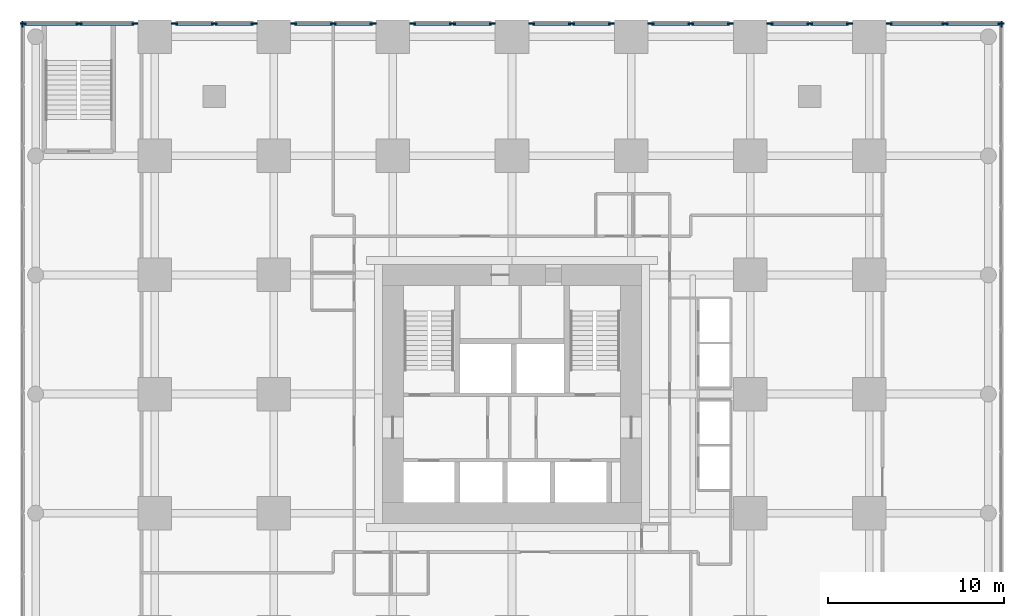
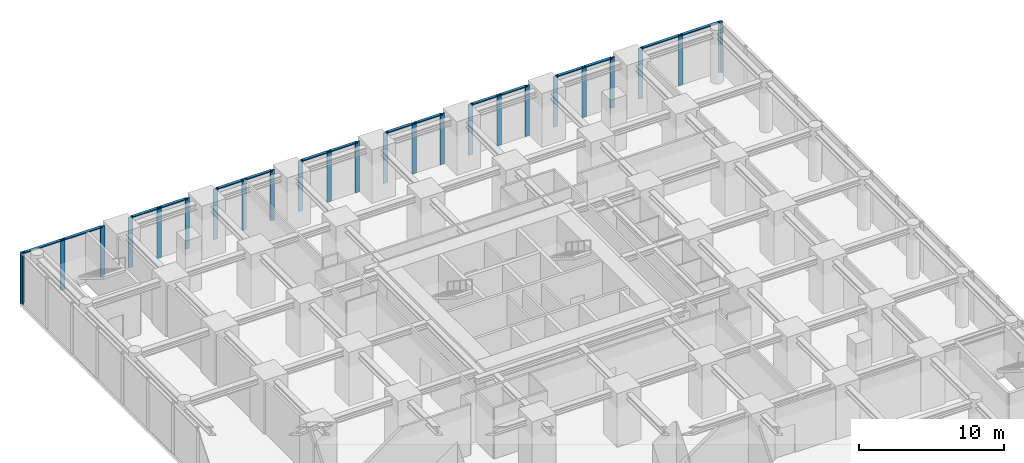
# One storey, part 6 of 11: 42 members, 10 elements without a shape of their own.
"""IFC4 building model written with IfcOpenShell, lengths in metres."""

from ifc_helpers import new_model, si_unit, direction, frame, origin, origin_2d, place, context, subcontext, project, spatial, rectangle, extrude, material, material_profile, profile_set, type_object, element, aggregate, save


model = new_model("IFC4")

# Units and contexts
model_context = context("Model", 3, precision=1e-05, world=origin(), true_north=direction((0.0, 1.0)))
body_context = subcontext(model_context, "Body", "Model", "MODEL_VIEW")
ifc_project = project(units=[si_unit("LENGTHUNIT", "METRE"), si_unit("AREAUNIT", "SQUARE_METRE"), si_unit("VOLUMEUNIT", "CUBIC_METRE"), si_unit("PLANEANGLEUNIT", "RADIAN"), si_unit("MASSUNIT", "GRAM", prefix="KILO")], contexts=[model_context])

# Site, building, storey
site_placement = place(None, origin())
site = spatial("IfcSite", under=ifc_project, at=site_placement, CompositionType="ELEMENT")
building_placement = place(site_placement, origin())
building = spatial("IfcBuilding", under=site, at=building_placement, Name="Nyansa Garden Tower", CompositionType="ELEMENT")
storey_placement = place(building_placement, frame((0.0, 0.0, 4.5)))
storey = spatial("IfcBuildingStorey", under=building, at=storey_placement, Name="L01", CompositionType="ELEMENT", Elevation=4.5)

# Curtain wall, member
ifc_material_1 = material(Name="Black anodised aluminium, clear double glazing", Category="aluminium")
curtain_wall_type = type_object("IfcCurtainWallType", Name="Podium curtain wall PCW", PredefinedType="USERDEFINED", material=ifc_material_1)
curtain_wall_1_placement = place(storey_placement, origin())
curtain_wall_1 = element("IfcCurtainWall", 1, at=curtain_wall_1_placement, inside=storey, type_object=curtain_wall_type, Name="Podium curtain wall L01 E", ObjectType="STICK CURTAIN WALL", PredefinedType="USERDEFINED")
ifc_material_2 = material(Name="Black anodised aluminium", Category="aluminium")
ifc_material_profile_1 = material_profile(ifc_material_2, rectangle(XDim=0.080078125, YDim=0.35009765625, at=origin_2d()), Name="Mullion 350x80")
ifc_profile_set_1 = profile_set([ifc_material_profile_1], Name="Black anodised aluminium")
member_type_1 = type_object("IfcMemberType", Name="Mullion PCW 350x80", PredefinedType="MULLION", material=ifc_profile_set_1)
member_1_placement = place(storey_placement, frame((48.0, 41.2099609375, 0.0), z_axis=(0.0, 0.0, 1.0), x_axis=(-1.0, 0.0, 0.0)))
member_1 = element("IfcMember", 2, at=member_1_placement, type_object=member_type_1, Name="PCW mullion 17", PredefinedType="MULLION", context=body_context, shape_type="SweptSolid", body=[
    extrude(rectangle(XDim=0.080078125, YDim=0.35009765625, at=origin_2d()), origin(), (0.0, 0.0, 1.0), 4.25),
])
aggregate(curtain_wall_1, [member_1])

# Curtain wall, members
curtain_wall_2_placement = place(storey_placement, origin())
curtain_wall_2 = element("IfcCurtainWall", 3, at=curtain_wall_2_placement, inside=storey, type_object=curtain_wall_type, Name="Podium curtain wall L01 N", ObjectType="STICK CURTAIN WALL", PredefinedType="USERDEFINED")
member_2_placement = place(storey_placement, frame((47.9599609375, 41.25, 0.0), z_axis=(0.0, 0.0, 1.0), x_axis=(0.0, -1.0, 0.0)))
member_2 = element("IfcMember", 4, at=member_2_placement, type_object=member_type_1, Name="PCW mullion 1", PredefinedType="MULLION", context=body_context, shape_type="SweptSolid", body=[
    extrude(rectangle(XDim=0.080078125, YDim=0.35009765625, at=origin_2d()), origin(), (0.0, 0.0, 1.0), 4.25),
])
member_3_placement = place(storey_placement, frame((44.79248046875, 41.25, 0.0), z_axis=(0.0, 0.0, 1.0), x_axis=(0.0, -1.0, 0.0)))
member_3 = element("IfcMember", 5, at=member_3_placement, type_object=member_type_1, Name="PCW mullion 2", PredefinedType="MULLION", context=body_context, shape_type="SweptSolid", body=[
    extrude(rectangle(XDim=0.080078125, YDim=0.35009765625, at=origin_2d()), origin(), (0.0, 0.0, 1.0), 4.25),
])
member_4_placement = place(storey_placement, frame((41.625, 41.25, 0.0), z_axis=(0.0, 0.0, 1.0), x_axis=(0.0, -1.0, 0.0)))
member_4 = element("IfcMember", 6, at=member_4_placement, type_object=member_type_1, Name="PCW mullion 3", PredefinedType="MULLION", context=body_context, shape_type="SweptSolid", body=[
    extrude(rectangle(XDim=0.080078125, YDim=0.35009765625, at=origin_2d()), origin(), (0.0, 0.0, 1.0), 4.25),
])

curtain_wall_3_placement = place(storey_placement, origin())
curtain_wall_3 = element("IfcCurtainWall", 7, at=curtain_wall_3_placement, inside=storey, type_object=curtain_wall_type, Name="Podium curtain wall L01 N", ObjectType="STICK CURTAIN WALL", PredefinedType="USERDEFINED")
member_5_placement = place(storey_placement, frame((39.375, 41.25, 0.0), z_axis=(0.0, 0.0, 1.0), x_axis=(0.0, -1.0, 0.0)))
member_5 = element("IfcMember", 8, at=member_5_placement, type_object=member_type_1, Name="PCW mullion 1", PredefinedType="MULLION", context=body_context, shape_type="SweptSolid", body=[
    extrude(rectangle(XDim=0.080078125, YDim=0.35009765625, at=origin_2d()), origin(), (0.0, 0.0, 1.0), 4.25),
])
member_6_placement = place(storey_placement, frame((37.125, 41.25, 0.0), z_axis=(0.0, 0.0, 1.0), x_axis=(0.0, -1.0, 0.0)))
member_6 = element("IfcMember", 9, at=member_6_placement, type_object=member_type_1, Name="PCW mullion 2", PredefinedType="MULLION", context=body_context, shape_type="SweptSolid", body=[
    extrude(rectangle(XDim=0.080078125, YDim=0.35009765625, at=origin_2d()), origin(), (0.0, 0.0, 1.0), 4.25),
])
member_7_placement = place(storey_placement, frame((34.875, 41.25, 0.0), z_axis=(0.0, 0.0, 1.0), x_axis=(0.0, -1.0, 0.0)))
member_7 = element("IfcMember", 10, at=member_7_placement, type_object=member_type_1, Name="PCW mullion 3", PredefinedType="MULLION", context=body_context, shape_type="SweptSolid", body=[
    extrude(rectangle(XDim=0.080078125, YDim=0.35009765625, at=origin_2d()), origin(), (0.0, 0.0, 1.0), 4.25),
])

curtain_wall_4_placement = place(storey_placement, origin())
curtain_wall_4 = element("IfcCurtainWall", 11, at=curtain_wall_4_placement, inside=storey, type_object=curtain_wall_type, Name="Podium curtain wall L01 N", ObjectType="STICK CURTAIN WALL", PredefinedType="USERDEFINED")
member_8_placement = place(storey_placement, frame((32.625, 41.25, 0.0), z_axis=(0.0, 0.0, 1.0), x_axis=(0.0, -1.0, 0.0)))
member_8 = element("IfcMember", 12, at=member_8_placement, type_object=member_type_1, Name="PCW mullion 1", PredefinedType="MULLION", context=body_context, shape_type="SweptSolid", body=[
    extrude(rectangle(XDim=0.080078125, YDim=0.35009765625, at=origin_2d()), origin(), (0.0, 0.0, 1.0), 4.25),
])
member_9_placement = place(storey_placement, frame((30.375, 41.25, 0.0), z_axis=(0.0, 0.0, 1.0), x_axis=(0.0, -1.0, 0.0)))
member_9 = element("IfcMember", 13, at=member_9_placement, type_object=member_type_1, Name="PCW mullion 2", PredefinedType="MULLION", context=body_context, shape_type="SweptSolid", body=[
    extrude(rectangle(XDim=0.080078125, YDim=0.35009765625, at=origin_2d()), origin(), (0.0, 0.0, 1.0), 4.25),
])
member_10_placement = place(storey_placement, frame((28.125, 41.25, 0.0), z_axis=(0.0, 0.0, 1.0), x_axis=(0.0, -1.0, 0.0)))
member_10 = element("IfcMember", 14, at=member_10_placement, type_object=member_type_1, Name="PCW mullion 3", PredefinedType="MULLION", context=body_context, shape_type="SweptSolid", body=[
    extrude(rectangle(XDim=0.080078125, YDim=0.35009765625, at=origin_2d()), origin(), (0.0, 0.0, 1.0), 4.25),
])

curtain_wall_5_placement = place(storey_placement, origin())
curtain_wall_5 = element("IfcCurtainWall", 15, at=curtain_wall_5_placement, inside=storey, type_object=curtain_wall_type, Name="Podium curtain wall L01 N", ObjectType="STICK CURTAIN WALL", PredefinedType="USERDEFINED")
member_11_placement = place(storey_placement, frame((25.875, 41.25, 0.0), z_axis=(0.0, 0.0, 1.0), x_axis=(0.0, -1.0, 0.0)))
member_11 = element("IfcMember", 16, at=member_11_placement, type_object=member_type_1, Name="PCW mullion 1", PredefinedType="MULLION", context=body_context, shape_type="SweptSolid", body=[
    extrude(rectangle(XDim=0.080078125, YDim=0.35009765625, at=origin_2d()), origin(), (0.0, 0.0, 1.0), 4.25),
])
member_12_placement = place(storey_placement, frame((23.625, 41.25, 0.0), z_axis=(0.0, 0.0, 1.0), x_axis=(0.0, -1.0, 0.0)))
member_12 = element("IfcMember", 17, at=member_12_placement, type_object=member_type_1, Name="PCW mullion 2", PredefinedType="MULLION", context=body_context, shape_type="SweptSolid", body=[
    extrude(rectangle(XDim=0.080078125, YDim=0.35009765625, at=origin_2d()), origin(), (0.0, 0.0, 1.0), 4.25),
])
member_13_placement = place(storey_placement, frame((21.375, 41.25, 0.0), z_axis=(0.0, 0.0, 1.0), x_axis=(0.0, -1.0, 0.0)))
member_13 = element("IfcMember", 18, at=member_13_placement, type_object=member_type_1, Name="PCW mullion 3", PredefinedType="MULLION", context=body_context, shape_type="SweptSolid", body=[
    extrude(rectangle(XDim=0.080078125, YDim=0.35009765625, at=origin_2d()), origin(), (0.0, 0.0, 1.0), 4.25),
])

curtain_wall_6_placement = place(storey_placement, origin())
curtain_wall_6 = element("IfcCurtainWall", 19, at=curtain_wall_6_placement, inside=storey, type_object=curtain_wall_type, Name="Podium curtain wall L01 N", ObjectType="STICK CURTAIN WALL", PredefinedType="USERDEFINED")
member_14_placement = place(storey_placement, frame((19.125, 41.25, 0.0), z_axis=(0.0, 0.0, 1.0), x_axis=(0.0, -1.0, 0.0)))
member_14 = element("IfcMember", 20, at=member_14_placement, type_object=member_type_1, Name="PCW mullion 1", PredefinedType="MULLION", context=body_context, shape_type="SweptSolid", body=[
    extrude(rectangle(XDim=0.080078125, YDim=0.35009765625, at=origin_2d()), origin(), (0.0, 0.0, 1.0), 4.25),
])
member_15_placement = place(storey_placement, frame((16.875, 41.25, 0.0), z_axis=(0.0, 0.0, 1.0), x_axis=(0.0, -1.0, 0.0)))
member_15 = element("IfcMember", 21, at=member_15_placement, type_object=member_type_1, Name="PCW mullion 2", PredefinedType="MULLION", context=body_context, shape_type="SweptSolid", body=[
    extrude(rectangle(XDim=0.080078125, YDim=0.35009765625, at=origin_2d()), origin(), (0.0, 0.0, 1.0), 4.25),
])
member_16_placement = place(storey_placement, frame((14.625, 41.25, 0.0), z_axis=(0.0, 0.0, 1.0), x_axis=(0.0, -1.0, 0.0)))
member_16 = element("IfcMember", 22, at=member_16_placement, type_object=member_type_1, Name="PCW mullion 3", PredefinedType="MULLION", context=body_context, shape_type="SweptSolid", body=[
    extrude(rectangle(XDim=0.080078125, YDim=0.35009765625, at=origin_2d()), origin(), (0.0, 0.0, 1.0), 4.25),
])

curtain_wall_7_placement = place(storey_placement, origin())
curtain_wall_7 = element("IfcCurtainWall", 23, at=curtain_wall_7_placement, inside=storey, type_object=curtain_wall_type, Name="Podium curtain wall L01 N", ObjectType="STICK CURTAIN WALL", PredefinedType="USERDEFINED")
member_17_placement = place(storey_placement, frame((12.375, 41.25, 0.0), z_axis=(0.0, 0.0, 1.0), x_axis=(0.0, -1.0, 0.0)))
member_17 = element("IfcMember", 24, at=member_17_placement, type_object=member_type_1, Name="PCW mullion 1", PredefinedType="MULLION", context=body_context, shape_type="SweptSolid", body=[
    extrude(rectangle(XDim=0.080078125, YDim=0.35009765625, at=origin_2d()), origin(), (0.0, 0.0, 1.0), 4.25),
])
member_18_placement = place(storey_placement, frame((10.125, 41.25, 0.0), z_axis=(0.0, 0.0, 1.0), x_axis=(0.0, -1.0, 0.0)))
member_18 = element("IfcMember", 25, at=member_18_placement, type_object=member_type_1, Name="PCW mullion 2", PredefinedType="MULLION", context=body_context, shape_type="SweptSolid", body=[
    extrude(rectangle(XDim=0.080078125, YDim=0.35009765625, at=origin_2d()), origin(), (0.0, 0.0, 1.0), 4.25),
])
member_19_placement = place(storey_placement, frame((7.875, 41.25, 0.0), z_axis=(0.0, 0.0, 1.0), x_axis=(0.0, -1.0, 0.0)))
member_19 = element("IfcMember", 26, at=member_19_placement, type_object=member_type_1, Name="PCW mullion 3", PredefinedType="MULLION", context=body_context, shape_type="SweptSolid", body=[
    extrude(rectangle(XDim=0.080078125, YDim=0.35009765625, at=origin_2d()), origin(), (0.0, 0.0, 1.0), 4.25),
])

curtain_wall_8_placement = place(storey_placement, origin())
curtain_wall_8 = element("IfcCurtainWall", 27, at=curtain_wall_8_placement, inside=storey, type_object=curtain_wall_type, Name="Podium curtain wall L01 N", ObjectType="STICK CURTAIN WALL", PredefinedType="USERDEFINED")
member_20_placement = place(storey_placement, frame((5.625, 41.25, 0.0), z_axis=(0.0, 0.0, 1.0), x_axis=(0.0, -1.0, 0.0)))
member_20 = element("IfcMember", 28, at=member_20_placement, type_object=member_type_1, Name="PCW mullion 1", PredefinedType="MULLION", context=body_context, shape_type="SweptSolid", body=[
    extrude(rectangle(XDim=0.080078125, YDim=0.35009765625, at=origin_2d()), origin(), (0.0, 0.0, 1.0), 4.25),
])
member_21_placement = place(storey_placement, frame((3.375, 41.25, 0.0), z_axis=(0.0, 0.0, 1.0), x_axis=(0.0, -1.0, 0.0)))
member_21 = element("IfcMember", 29, at=member_21_placement, type_object=member_type_1, Name="PCW mullion 2", PredefinedType="MULLION", context=body_context, shape_type="SweptSolid", body=[
    extrude(rectangle(XDim=0.080078125, YDim=0.35009765625, at=origin_2d()), origin(), (0.0, 0.0, 1.0), 4.25),
])
member_22_placement = place(storey_placement, frame((1.125, 41.25, 0.0), z_axis=(0.0, 0.0, 1.0), x_axis=(0.0, -1.0, 0.0)))
member_22 = element("IfcMember", 30, at=member_22_placement, type_object=member_type_1, Name="PCW mullion 3", PredefinedType="MULLION", context=body_context, shape_type="SweptSolid", body=[
    extrude(rectangle(XDim=0.080078125, YDim=0.35009765625, at=origin_2d()), origin(), (0.0, 0.0, 1.0), 4.25),
])

curtain_wall_9_placement = place(storey_placement, origin())
curtain_wall_9 = element("IfcCurtainWall", 31, at=curtain_wall_9_placement, inside=storey, type_object=curtain_wall_type, Name="Podium curtain wall L01 N", ObjectType="STICK CURTAIN WALL", PredefinedType="USERDEFINED")
member_23_placement = place(storey_placement, frame((-1.125, 41.25, 0.0), z_axis=(0.0, 0.0, 1.0), x_axis=(0.0, -1.0, 0.0)))
member_23 = element("IfcMember", 32, at=member_23_placement, type_object=member_type_1, Name="PCW mullion 1", PredefinedType="MULLION", context=body_context, shape_type="SweptSolid", body=[
    extrude(rectangle(XDim=0.080078125, YDim=0.35009765625, at=origin_2d()), origin(), (0.0, 0.0, 1.0), 4.25),
])
member_24_placement = place(storey_placement, frame((-4.29248046875, 41.25, 0.0), z_axis=(0.0, 0.0, 1.0), x_axis=(0.0, -1.0, 0.0)))
member_24 = element("IfcMember", 33, at=member_24_placement, type_object=member_type_1, Name="PCW mullion 2", PredefinedType="MULLION", context=body_context, shape_type="SweptSolid", body=[
    extrude(rectangle(XDim=0.080078125, YDim=0.35009765625, at=origin_2d()), origin(), (0.0, 0.0, 1.0), 4.25),
])
member_25_placement = place(storey_placement, frame((-7.4599609375, 41.25, 0.0), z_axis=(0.0, 0.0, 1.0), x_axis=(0.0, -1.0, 0.0)))
member_25 = element("IfcMember", 34, at=member_25_placement, type_object=member_type_1, Name="PCW mullion 3", PredefinedType="MULLION", context=body_context, shape_type="SweptSolid", body=[
    extrude(rectangle(XDim=0.080078125, YDim=0.35009765625, at=origin_2d()), origin(), (0.0, 0.0, 1.0), 4.25),
])

# Curtain wall, member
curtain_wall_10_placement = place(storey_placement, origin())
curtain_wall_10 = element("IfcCurtainWall", 35, at=curtain_wall_10_placement, inside=storey, type_object=curtain_wall_type, Name="Podium curtain wall L01 W", ObjectType="STICK CURTAIN WALL", PredefinedType="USERDEFINED")
member_26_placement = place(storey_placement, frame((-7.5, 41.2099609375, 0.0), z_axis=(0.0, 0.0, 1.0), x_axis=(1.0, 0.0, 0.0)))
member_26 = element("IfcMember", 36, at=member_26_placement, type_object=member_type_1, Name="PCW mullion 1", PredefinedType="MULLION", context=body_context, shape_type="SweptSolid", body=[
    extrude(rectangle(XDim=0.080078125, YDim=0.35009765625, at=origin_2d()), origin(), (0.0, 0.0, 1.0), 4.25),
])
aggregate(curtain_wall_10, [member_26])

# Member
ifc_material_3 = material(Name="Black anodised aluminium", Category="aluminium")
ifc_material_profile_2 = material_profile(ifc_material_3, rectangle(XDim=0.219970703125, YDim=0.080078125, at=origin_2d()), Name="Transom 220x80")
ifc_profile_set_2 = profile_set([ifc_material_profile_2], Name="Black anodised aluminium")
member_type_2 = type_object("IfcMemberType", Name="Transom PCW 220x80", PredefinedType="USERDEFINED", material=ifc_profile_set_2)
member_27_placement = place(storey_placement, frame((47.919921875, 41.25, 4.2099609375), z_axis=(-1.0, 0.0, 0.0), x_axis=(0.0, -1.0, 0.0)))
member_27 = element("IfcMember", 37, at=member_27_placement, type_object=member_type_2, Name="PCW transom 1", ObjectType="TRANSOM", PredefinedType="USERDEFINED", context=body_context, shape_type="SweptSolid", body=[
    extrude(rectangle(XDim=0.219970703125, YDim=0.080078125, at=origin_2d()), origin(), (0.0, 0.0, 1.0), 3.08740234375),
])

member_28_placement = place(storey_placement, frame((44.75244140625, 41.25, 4.2099609375), z_axis=(-1.0, 0.0, 0.0), x_axis=(0.0, -1.0, 0.0)))
member_28 = element("IfcMember", 38, at=member_28_placement, type_object=member_type_2, Name="PCW transom 2", ObjectType="TRANSOM", PredefinedType="USERDEFINED", context=body_context, shape_type="SweptSolid", body=[
    extrude(rectangle(XDim=0.219970703125, YDim=0.080078125, at=origin_2d()), origin(), (0.0, 0.0, 1.0), 3.08740234375),
])

aggregate(curtain_wall_2, [member_2, member_3, member_4, member_27, member_28])

member_29_placement = place(storey_placement, frame((39.3349609375, 41.25, 4.2099609375), z_axis=(-1.0, 0.0, 0.0), x_axis=(0.0, -1.0, 0.0)))
member_29 = element("IfcMember", 39, at=member_29_placement, type_object=member_type_2, Name="PCW transom 1", ObjectType="TRANSOM", PredefinedType="USERDEFINED", context=body_context, shape_type="SweptSolid", body=[
    extrude(rectangle(XDim=0.219970703125, YDim=0.080078125, at=origin_2d()), origin(), (0.0, 0.0, 1.0), 2.169921875),
])

member_30_placement = place(storey_placement, frame((37.0849609375, 41.25, 4.2099609375), z_axis=(-1.0, 0.0, 0.0), x_axis=(0.0, -1.0, 0.0)))
member_30 = element("IfcMember", 40, at=member_30_placement, type_object=member_type_2, Name="PCW transom 2", ObjectType="TRANSOM", PredefinedType="USERDEFINED", context=body_context, shape_type="SweptSolid", body=[
    extrude(rectangle(XDim=0.219970703125, YDim=0.080078125, at=origin_2d()), origin(), (0.0, 0.0, 1.0), 2.169921875),
])

aggregate(curtain_wall_3, [member_5, member_6, member_7, member_29, member_30])

member_31_placement = place(storey_placement, frame((32.5849609375, 41.25, 4.2099609375), z_axis=(-1.0, 0.0, 0.0), x_axis=(0.0, -1.0, 0.0)))
member_31 = element("IfcMember", 41, at=member_31_placement, type_object=member_type_2, Name="PCW transom 1", ObjectType="TRANSOM", PredefinedType="USERDEFINED", context=body_context, shape_type="SweptSolid", body=[
    extrude(rectangle(XDim=0.219970703125, YDim=0.080078125, at=origin_2d()), origin(), (0.0, 0.0, 1.0), 2.169921875),
])

member_32_placement = place(storey_placement, frame((30.3349609375, 41.25, 4.2099609375), z_axis=(-1.0, 0.0, 0.0), x_axis=(0.0, -1.0, 0.0)))
member_32 = element("IfcMember", 42, at=member_32_placement, type_object=member_type_2, Name="PCW transom 2", ObjectType="TRANSOM", PredefinedType="USERDEFINED", context=body_context, shape_type="SweptSolid", body=[
    extrude(rectangle(XDim=0.219970703125, YDim=0.080078125, at=origin_2d()), origin(), (0.0, 0.0, 1.0), 2.169921875),
])

aggregate(curtain_wall_4, [member_8, member_9, member_10, member_31, member_32])

member_33_placement = place(storey_placement, frame((25.8349609375, 41.25, 4.2099609375), z_axis=(-1.0, 0.0, 0.0), x_axis=(0.0, -1.0, 0.0)))
member_33 = element("IfcMember", 43, at=member_33_placement, type_object=member_type_2, Name="PCW transom 1", ObjectType="TRANSOM", PredefinedType="USERDEFINED", context=body_context, shape_type="SweptSolid", body=[
    extrude(rectangle(XDim=0.219970703125, YDim=0.080078125, at=origin_2d()), origin(), (0.0, 0.0, 1.0), 2.169921875),
])

member_34_placement = place(storey_placement, frame((23.5849609375, 41.25, 4.2099609375), z_axis=(-1.0, 0.0, 0.0), x_axis=(0.0, -1.0, 0.0)))
member_34 = element("IfcMember", 44, at=member_34_placement, type_object=member_type_2, Name="PCW transom 2", ObjectType="TRANSOM", PredefinedType="USERDEFINED", context=body_context, shape_type="SweptSolid", body=[
    extrude(rectangle(XDim=0.219970703125, YDim=0.080078125, at=origin_2d()), origin(), (0.0, 0.0, 1.0), 2.169921875),
])

aggregate(curtain_wall_5, [member_11, member_12, member_13, member_33, member_34])

member_35_placement = place(storey_placement, frame((19.0849609375, 41.25, 4.2099609375), z_axis=(-1.0, 0.0, 0.0), x_axis=(0.0, -1.0, 0.0)))
member_35 = element("IfcMember", 45, at=member_35_placement, type_object=member_type_2, Name="PCW transom 1", ObjectType="TRANSOM", PredefinedType="USERDEFINED", context=body_context, shape_type="SweptSolid", body=[
    extrude(rectangle(XDim=0.219970703125, YDim=0.080078125, at=origin_2d()), origin(), (0.0, 0.0, 1.0), 2.169921875),
])

member_36_placement = place(storey_placement, frame((16.8349609375, 41.25, 4.2099609375), z_axis=(-1.0, 0.0, 0.0), x_axis=(0.0, -1.0, 0.0)))
member_36 = element("IfcMember", 46, at=member_36_placement, type_object=member_type_2, Name="PCW transom 2", ObjectType="TRANSOM", PredefinedType="USERDEFINED", context=body_context, shape_type="SweptSolid", body=[
    extrude(rectangle(XDim=0.219970703125, YDim=0.080078125, at=origin_2d()), origin(), (0.0, 0.0, 1.0), 2.169921875),
])

aggregate(curtain_wall_6, [member_14, member_15, member_16, member_35, member_36])

member_37_placement = place(storey_placement, frame((12.3349609375, 41.25, 4.2099609375), z_axis=(-1.0, 0.0, 0.0), x_axis=(0.0, -1.0, 0.0)))
member_37 = element("IfcMember", 47, at=member_37_placement, type_object=member_type_2, Name="PCW transom 1", ObjectType="TRANSOM", PredefinedType="USERDEFINED", context=body_context, shape_type="SweptSolid", body=[
    extrude(rectangle(XDim=0.219970703125, YDim=0.080078125, at=origin_2d()), origin(), (0.0, 0.0, 1.0), 2.169921875),
])

member_38_placement = place(storey_placement, frame((10.0849609375, 41.25, 4.2099609375), z_axis=(-1.0, 0.0, 0.0), x_axis=(0.0, -1.0, 0.0)))
member_38 = element("IfcMember", 48, at=member_38_placement, type_object=member_type_2, Name="PCW transom 2", ObjectType="TRANSOM", PredefinedType="USERDEFINED", context=body_context, shape_type="SweptSolid", body=[
    extrude(rectangle(XDim=0.219970703125, YDim=0.080078125, at=origin_2d()), origin(), (0.0, 0.0, 1.0), 2.169921875),
])

aggregate(curtain_wall_7, [member_17, member_18, member_19, member_37, member_38])

member_39_placement = place(storey_placement, frame((5.5849609375, 41.25, 4.2099609375), z_axis=(-1.0, 0.0, 0.0), x_axis=(0.0, -1.0, 0.0)))
member_39 = element("IfcMember", 49, at=member_39_placement, type_object=member_type_2, Name="PCW transom 1", ObjectType="TRANSOM", PredefinedType="USERDEFINED", context=body_context, shape_type="SweptSolid", body=[
    extrude(rectangle(XDim=0.219970703125, YDim=0.080078125, at=origin_2d()), origin(), (0.0, 0.0, 1.0), 2.169921875),
])

member_40_placement = place(storey_placement, frame((3.3349609375, 41.25, 4.2099609375), z_axis=(-1.0, 0.0, 0.0), x_axis=(0.0, -1.0, 0.0)))
member_40 = element("IfcMember", 50, at=member_40_placement, type_object=member_type_2, Name="PCW transom 2", ObjectType="TRANSOM", PredefinedType="USERDEFINED", context=body_context, shape_type="SweptSolid", body=[
    extrude(rectangle(XDim=0.219970703125, YDim=0.080078125, at=origin_2d()), origin(), (0.0, 0.0, 1.0), 2.169921875),
])

aggregate(curtain_wall_8, [member_20, member_21, member_22, member_39, member_40])

member_41_placement = place(storey_placement, frame((-1.1650390625, 41.25, 4.2099609375), z_axis=(-1.0, 0.0, 0.0), x_axis=(0.0, -1.0, 0.0)))
member_41 = element("IfcMember", 51, at=member_41_placement, type_object=member_type_2, Name="PCW transom 1", ObjectType="TRANSOM", PredefinedType="USERDEFINED", context=body_context, shape_type="SweptSolid", body=[
    extrude(rectangle(XDim=0.219970703125, YDim=0.080078125, at=origin_2d()), origin(), (0.0, 0.0, 1.0), 3.08740234375),
])

member_42_placement = place(storey_placement, frame((-4.33251953125, 41.25, 4.2099609375), z_axis=(-1.0, 0.0, 0.0), x_axis=(0.0, -1.0, 0.0)))
member_42 = element("IfcMember", 52, at=member_42_placement, type_object=member_type_2, Name="PCW transom 2", ObjectType="TRANSOM", PredefinedType="USERDEFINED", context=body_context, shape_type="SweptSolid", body=[
    extrude(rectangle(XDim=0.219970703125, YDim=0.080078125, at=origin_2d()), origin(), (0.0, 0.0, 1.0), 3.08740234375),
])

aggregate(curtain_wall_9, [member_23, member_24, member_25, member_41, member_42])

save(model, "model.ifc")
